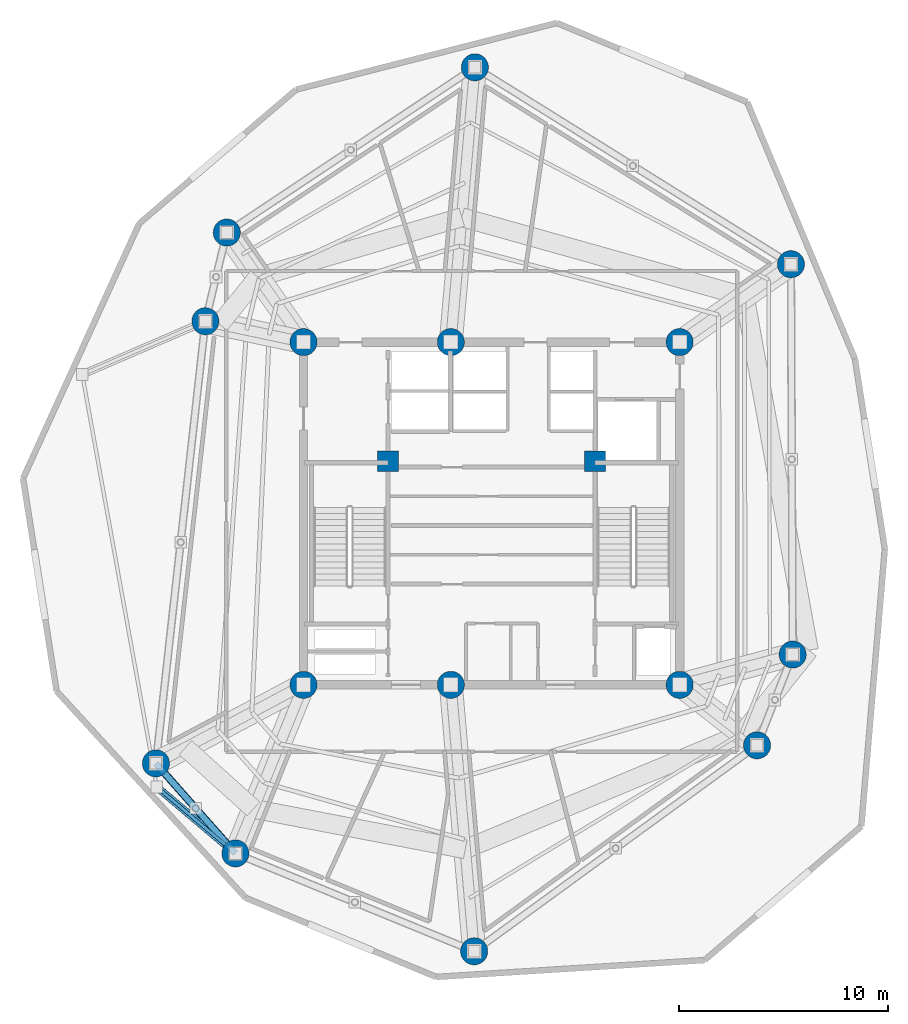
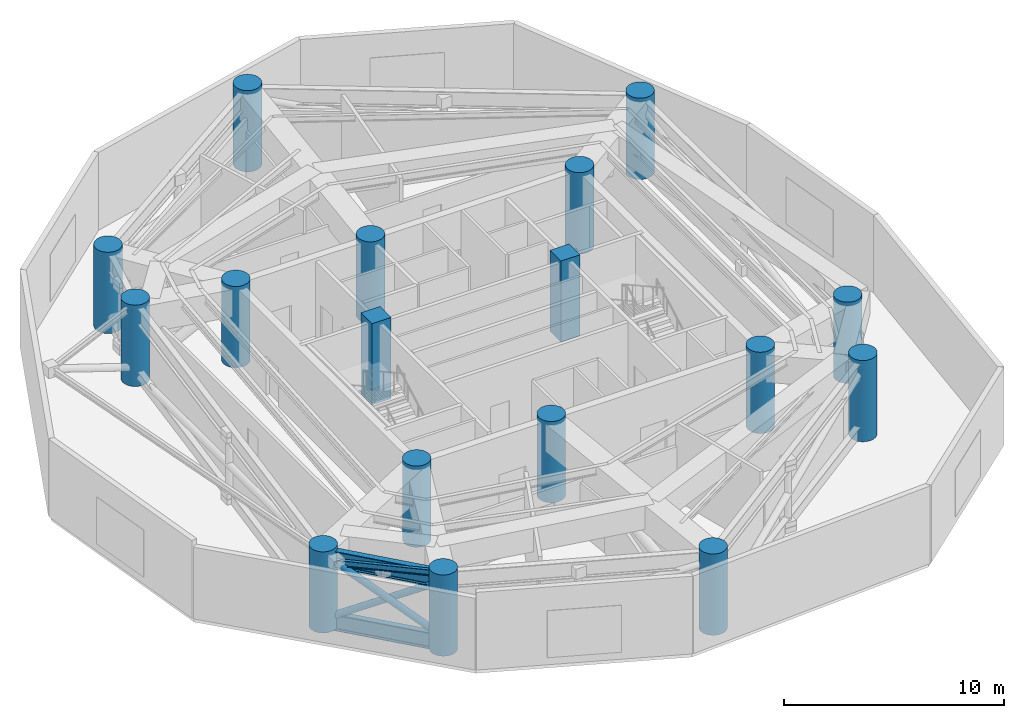
# One storey, part 1 of 11: 17 columns, 3 members, 2 beams.
"""IFC4 building model written with IfcOpenShell, lengths in metres."""

from ifc_helpers import new_model, si_unit, direction, frame, origin, origin_with_axes, origin_2d, place, context, subcontext, project, spatial, rectangle, circle, hollow_circle, i_section, extrude, source, transform, mapped, material, material_profile, profile_set, type_object, element, save


model = new_model("IFC4")

# Units and contexts
model_context = context("Model", 3, precision=1e-05, world=origin(), true_north=direction((0.0, 1.0)))
body_context = subcontext(model_context, "Body", "Model", "MODEL_VIEW")
ifc_project = project(units=[si_unit("LENGTHUNIT", "METRE"), si_unit("AREAUNIT", "SQUARE_METRE"), si_unit("VOLUMEUNIT", "CUBIC_METRE"), si_unit("PLANEANGLEUNIT", "RADIAN"), si_unit("MASSUNIT", "GRAM", prefix="KILO")], contexts=[model_context])

# Site, building, storey
site_placement = place(None, origin())
site = spatial("IfcSite", under=ifc_project, at=site_placement, CompositionType="ELEMENT")
building_placement = place(site_placement, origin())
building = spatial("IfcBuilding", under=site, at=building_placement, Name="Karkom Vertical University and Central Library", CompositionType="ELEMENT")
storey_placement = place(building_placement, frame((0.0, 0.0, 208.39990234375)))
storey = spatial("IfcBuildingStorey", under=building, at=storey_placement, Name="P61", CompositionType="ELEMENT", Elevation=208.39990234375)

# Columns
ifc_material_1 = material(Name="Concrete C50/60", Category="concrete")
ifc_material_profile_1 = material_profile(ifc_material_1, circle(Radius=0.64990234375, at=origin_2d()), Name="CFT-D1300")
ifc_profile_set_1 = profile_set([ifc_material_profile_1], Name="Concrete C50/60")
column_type_1 = type_object("IfcColumnType", Name="STR-COL-C-SC4", PredefinedType="COLUMN", material=ifc_profile_set_1)
shared_shape_1 = source(origin_with_axes(), body_context, "Body", "SweptSolid", [
    extrude(circle(Radius=0.64990234375, at=origin_2d()), origin(), (0.0, 0.0, 1.0), 4.5),
])
for number, where, z_axis, x_axis, name in (
    (1, (19.5, 18.300048828125, 0.0), (0.0, 0.0, 1.0), (1.0, 0.0, 0.0), "Plant Level 61 Spine Mega-Column SC-1"),
    (2, (26.550048828125, 18.300048828125, 0.0), (0.0, 0.0, 1.0), (1.0, 0.0, 0.0), "Plant Level 61 Spine Mega-Column SC-2"),
    (3, (37.5, 18.300048828125, 0.0), (0.0, 0.0, 1.0), (1.0, 0.0, 0.0), "Plant Level 61 Spine Mega-Column SC-3"),
    (4, (19.5, 34.699951171875, 0.0), (0.0, 0.0, 1.0), (1.0, 0.0, 0.0), "Plant Level 61 Spine Mega-Column SC-4"),
    (5, (26.550048828125, 34.699951171875, 0.0), (0.0, 0.0, 1.0), (1.0, 0.0, 0.0), "Plant Level 61 Spine Mega-Column SC-5"),
    (6, (37.5, 34.699951171875, 0.0), (0.0, 0.0, 1.0), (1.0, 0.0, 0.0), "Plant Level 61 Spine Mega-Column SC-6"),
    (7, (42.908935546875, 19.7490234375, 0.0), (0.0, 0.0, 1.0), (1.0, 0.0, 0.0), "Plant Level 61 Perimeter Mega-Column Z3-PC1"),
    (8, (42.823974609375, 38.427978515625, 0.0), (0.0, 0.0, 1.0), (1.0, 0.0, 0.0), "Plant Level 61 Perimeter Mega-Column Z3-PC2"),
    (9, (27.699951171875, 47.85009765625, 0.0), (0.0, 0.0, 1.0), (1.0, 0.0, 0.0), "Plant Level 61 Perimeter Mega-Column Z3-PC3"),
    (10, (15.8291015625, 39.943115234375, 0.0), (0.0, 0.0, 1.0), (1.0, 0.0, 0.0), "Plant Level 61 Perimeter Mega-Column Z3-PC4"),
    (11, (14.804931640625, 35.697998046875, 0.0), (0.0, 0.0, 1.0), (1.0, 0.0, 0.0), "Plant Level 61 Perimeter Mega-Column Z3-PC5"),
    (12, (12.43603515625, 14.5439453125, 0.0), (0.0, 0.0, 1.0), (1.0, 0.0, 0.0), "Plant Level 61 Perimeter Mega-Column Z3-PC6"),
    (13, (16.240966796875, 10.23388671875, 0.0), (0.0, 0.0, 1.0), (1.0, 0.0, 0.0), "Plant Level 61 Perimeter Mega-Column Z3-PC7"),
    (14, (27.666015625, 5.549072265625, 0.0), (0.0, 0.0, 1.0), (1.0, 0.0, 0.0), "Plant Level 61 Perimeter Mega-Column Z3-PC8"),
    (15, (41.2041015625, 15.406005859375, 0.0), (0.0, 0.0, 1.0), (1.0, 0.0, 0.0), "Plant Level 61 Perimeter Mega-Column Z3-PC9"),
):
    element("IfcColumn", number, at=place(storey_placement, frame(where, z_axis=z_axis, x_axis=x_axis)), inside=storey, type_object=column_type_1, Name=name, PredefinedType="COLUMN", context=body_context, shape_type="MappedRepresentation", body=[
        mapped(shared_shape_1, transform((0.0, 0.0, 0.0), scale=1.0)),
    ])
ifc_material_profile_2 = material_profile(ifc_material_1, rectangle(XDim=1.0, YDim=1.0, at=origin_2d()), Name="RC-1000x1000")
ifc_profile_set_2 = profile_set([ifc_material_profile_2], Name="Concrete C50/60")
column_type_2 = type_object("IfcColumnType", Name="STR-COL-C-CC2", PredefinedType="COLUMN", material=ifc_profile_set_2)
shared_shape_2 = source(origin_with_axes(), body_context, "Body", "SweptSolid", [
    extrude(rectangle(XDim=1.0, YDim=1.0, at=origin_2d()), origin(), (0.0, 0.0, 1.0), 4.5),
])
for number, where, z_axis, x_axis, name in (
    (16, (23.550048828125, 29.0, 0.0), (0.0, 0.0, 1.0), (1.0, 0.0, 0.0), "Plant Level 61 Core Node Column CC-1"),
    (17, (33.449951171875, 29.0, 0.0), (0.0, 0.0, 1.0), (1.0, 0.0, 0.0), "Plant Level 61 Core Node Column CC-2"),
):
    element("IfcColumn", number, at=place(storey_placement, frame(where, z_axis=z_axis, x_axis=x_axis)), inside=storey, type_object=column_type_2, Name=name, PredefinedType="COLUMN", context=body_context, shape_type="MappedRepresentation", body=[
        mapped(shared_shape_2, transform((0.0, 0.0, 0.0), scale=1.0)),
    ])

# Beams
ifc_material_2 = material(Name="Steel S460", Category="steel")
ifc_material_profile_3 = material_profile(ifc_material_2, i_section(OverallWidth=0.300048828125, OverallDepth=0.89990234375, WebThickness=0.0185546875, FlangeThickness=0.034912109375, FilletRadius=0.030029296875, at=origin_2d()), Name="HE 900 B")
ifc_profile_set_3 = profile_set([ifc_material_profile_3], Name="Steel S460")
beam_type_1 = type_object("IfcBeamType", Name="STR-BM-SB-HE900", PredefinedType="USERDEFINED", material=ifc_profile_set_3)
shared_shape_3 = source(origin_with_axes(), body_context, "Body", "SweptSolid", [
    extrude(i_section(OverallWidth=0.300048828125, OverallDepth=0.89990234375, WebThickness=0.0185546875, FlangeThickness=0.034912109375, FilletRadius=0.030029296875, at=origin_2d()), origin(), (0.0, 0.0, 1.0), 5.749267578125),
])
beam_1_placement = place(storey_placement, frame((12.43603515625, 14.5439453125, 3.85009765625), z_axis=(0.661811219671, -0.74967053398, 0.0), x_axis=(0.74967053398, 0.661811219671, 0.0)))
element("IfcBeam", 18, at=beam_1_placement, inside=storey, type_object=beam_type_1, Name="Plant Level 61 Perimeter Spandrel Beam 06", ObjectType="GIRDER", PredefinedType="USERDEFINED", context=body_context, shape_type="MappedRepresentation", body=[
    mapped(shared_shape_3, transform((0.0, 0.0, 0.0), scale=1.0)),
])
ifc_material_3 = material(Name="Steel S355", Category="steel")
ifc_material_profile_4 = material_profile(ifc_material_3, i_section(OverallWidth=0.159912109375, OverallDepth=0.330078125, WebThickness=0.007568359375, FlangeThickness=0.011474609375, FilletRadius=0.01806640625, at=origin_2d()), Name="IPE 330")
ifc_profile_set_4 = profile_set([ifc_material_profile_4], Name="Steel S355")
beam_type_2 = type_object("IfcBeamType", Name="STR-BM-SB-IPE330", PredefinedType="BEAM", material=ifc_profile_set_4)
shared_shape_4 = source(origin_with_axes(), body_context, "Body", "SweptSolid", [
    extrude(i_section(OverallWidth=0.159912109375, OverallDepth=0.330078125, WebThickness=0.007568359375, FlangeThickness=0.011474609375, FilletRadius=0.01806640625, at=origin_2d()), origin(), (0.0, 0.0, 1.0), 4.92578125),
])
beam_2_placement = place(storey_placement, frame((16.240966796875, 10.23388671875, 4.135009765625), z_axis=(-0.763713302012, 0.645555568739, 0.0), x_axis=(-0.645555568739, -0.763713302012, 0.0)))
element("IfcBeam", 19, at=beam_2_placement, inside=storey, type_object=beam_type_2, Name="Plant Level 61 Sky Garden Outrigger Support Beam 2", PredefinedType="BEAM", context=body_context, shape_type="MappedRepresentation", body=[
    mapped(shared_shape_4, transform((0.0, 0.0, 0.0), scale=1.0)),
])

# Members
ifc_material_profile_5 = material_profile(ifc_material_3, hollow_circle(Radius=0.177734375, WallThickness=0.01611328125, at=origin_2d()), Name="CHS 355.6x16")
ifc_profile_set_5 = profile_set([ifc_material_profile_5], Name="Steel S355")
member_type_1 = type_object("IfcMemberType", Name="STR-MEM-BR-3", PredefinedType="BRACE", material=ifc_profile_set_5)
shared_shape_5 = source(origin_with_axes(), body_context, "Body", "SweptSolid", [
    extrude(hollow_circle(Radius=0.177734375, WallThickness=0.01611328125, at=origin_2d()), origin(), (0.0, 0.0, 1.0), 6.045654296875),
])
member_1_placement = place(storey_placement, frame((16.240966796875, 10.23388671875, 0.630126953125), z_axis=(-0.622270952976, 0.525996441204, 0.579747018037), x_axis=(-0.645555568739, -0.763713302012, 0.0)))
element("IfcMember", 20, at=member_1_placement, inside=storey, type_object=member_type_1, Name="Plant Level 61 Sky Garden Knee Strut Brace 2", PredefinedType="BRACE", context=body_context, shape_type="MappedRepresentation", body=[
    mapped(shared_shape_5, transform((0.0, 0.0, 0.0), scale=1.0)),
])
shared_shape_6 = source(origin_with_axes(), body_context, "Body", "SweptSolid", [
    extrude(hollow_circle(Radius=0.177734375, WallThickness=0.01611328125, at=origin_2d()), origin(), (0.0, 0.0, 1.0), 6.679443359375),
])
member_2_placement = place(storey_placement, frame((12.43603515625, 14.5439453125, 0.35009765625), z_axis=(0.56965770323, -0.645283098673, 0.509018490547), x_axis=(0.74967053398, 0.661811219671, 0.0)))
element("IfcMember", 21, at=member_2_placement, inside=storey, type_object=member_type_1, Name="Plant Level 61 Belt Truss Diagonal Brace 06", PredefinedType="BRACE", context=body_context, shape_type="MappedRepresentation", body=[
    mapped(shared_shape_6, transform((0.0, 0.0, 0.0), scale=1.0)),
])
ifc_material_profile_6 = material_profile(ifc_material_2, i_section(OverallWidth=0.300048828125, OverallDepth=0.89990234375, WebThickness=0.0185546875, FlangeThickness=0.034912109375, FilletRadius=0.030029296875, at=origin_2d()), Name="HE 900 B")
ifc_profile_set_6 = profile_set([ifc_material_profile_6], Name="Steel S460")
member_type_2 = type_object("IfcMemberType", Name="STR-MEM-CH-1", PredefinedType="CHORD", material=ifc_profile_set_6)
shared_shape_7 = source(origin_with_axes(), body_context, "Body", "SweptSolid", [
    extrude(i_section(OverallWidth=0.300048828125, OverallDepth=0.89990234375, WebThickness=0.0185546875, FlangeThickness=0.034912109375, FilletRadius=0.030029296875, at=origin_2d()), origin(), (0.0, 0.0, 1.0), 5.749267578125),
])
member_3_placement = place(storey_placement, frame((12.43603515625, 14.5439453125, 0.35009765625), z_axis=(0.661811219671, -0.74967053398, 0.0), x_axis=(0.74967053398, 0.661811219671, 0.0)))
element("IfcMember", 22, at=member_3_placement, inside=storey, type_object=member_type_2, Name="Plant Level 61 Belt Truss Bottom Chord 06", PredefinedType="CHORD", context=body_context, shape_type="MappedRepresentation", body=[
    mapped(shared_shape_7, transform((0.0, 0.0, 0.0), scale=1.0)),
])

save(model, "model.ifc")
